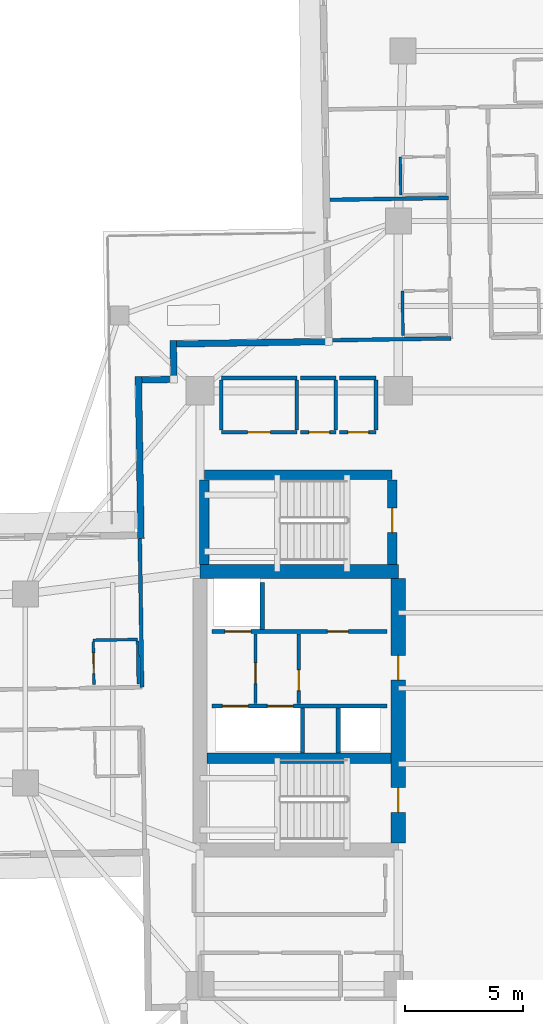
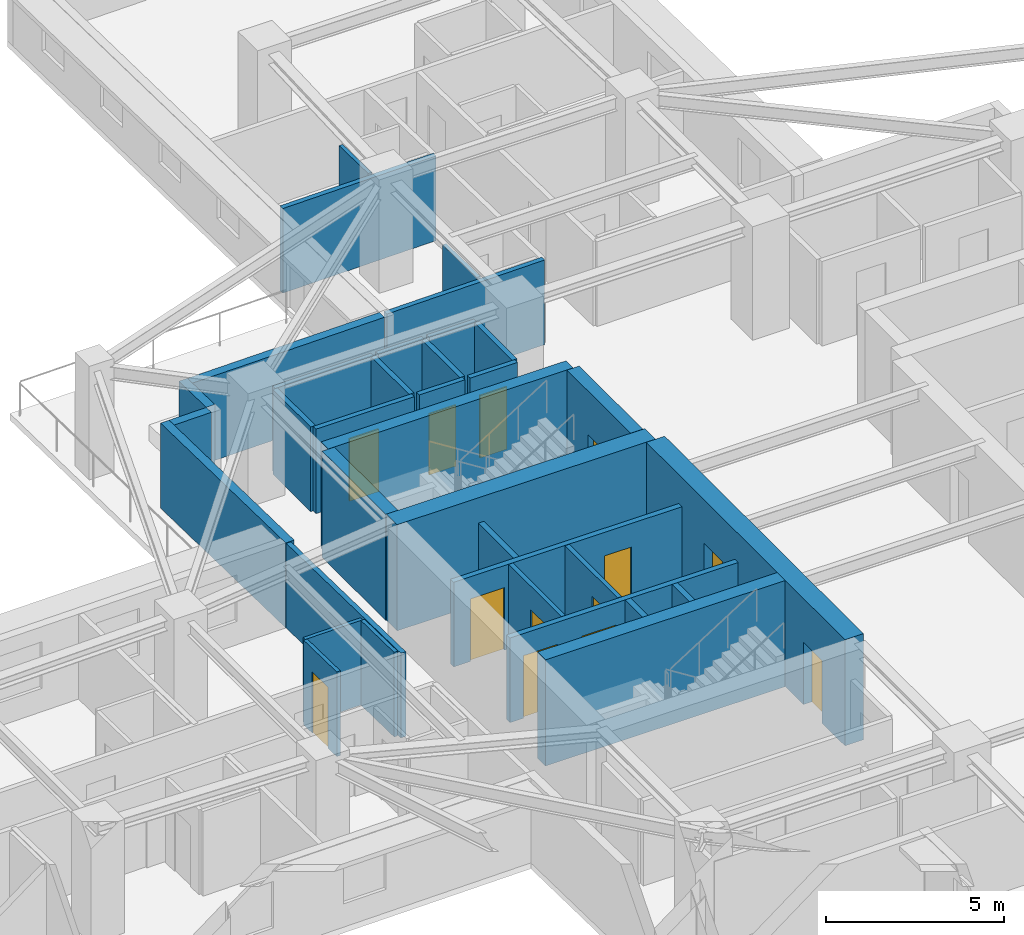
# One storey, part 5 of 13: 35 walls, 13 doors, 13 openings.
"""IFC4 building model written with IfcOpenShell, lengths in metres."""

from ifc_helpers import new_model, si_unit, direction, frame, frame_2d, origin, place, context, subcontext, project, spatial, rectangle, extrude, material, layer, layer_set, type_object, element, fill, save


model = new_model("IFC4")

# Units and contexts
model_context = context("Model", 3, precision=1e-05, world=origin(), true_north=direction((0.0, 1.0)))
body_context = subcontext(model_context, "Body", "Model", "MODEL_VIEW")
ifc_project = project(units=[si_unit("LENGTHUNIT", "METRE"), si_unit("AREAUNIT", "SQUARE_METRE"), si_unit("VOLUMEUNIT", "CUBIC_METRE"), si_unit("PLANEANGLEUNIT", "RADIAN"), si_unit("MASSUNIT", "GRAM", prefix="KILO")], contexts=[model_context])

# Site, building, storey
site_placement = place(None, origin())
site = spatial("IfcSite", under=ifc_project, at=site_placement, CompositionType="ELEMENT")
building_placement = place(site_placement, origin())
building = spatial("IfcBuilding", under=site, at=building_placement, Name="Qingluan Cross Belvedere", CompositionType="ELEMENT")
storey_placement = place(building_placement, frame((0.0, 0.0, 139.800048828125)))
storey = spatial("IfcBuildingStorey", under=building, at=storey_placement, Name="L35", CompositionType="ELEMENT", Elevation=139.800048828125)

# Walls
ifc_material_1 = material(Name="Concrete C50", Category="concrete")
ifc_layer_1 = layer(ifc_material_1, 0.449951171875, Name="CoreShearWall_450")
ifc_layer_set_1 = layer_set([ifc_layer_1], Name="Concrete C50")
wall_type_1 = type_object("IfcWallType", Name="CoreShearWall_450", PredefinedType="SHEAR", material=ifc_layer_set_1)
wall_1_placement = place(storey_placement, frame((-12.094970703125, -2.9599609375, 0.0), z_axis=(0.0, 0.0, 1.0), x_axis=(1.0, 0.0, 0.0)))
element("IfcWall", 1, at=wall_1_placement, inside=storey, type_object=wall_type_1, Name="Split core W shear wall L35-M", PredefinedType="SHEAR", context=body_context, shape_type="SweptSolid", body=[
    extrude(rectangle(XDim=7.7900390625, YDim=0.449951171875, at=frame_2d((3.89501953125, 0.0))), origin(), (0.0, 0.0, 1.0), 3.64990234375),
])
wall_2_placement = place(storey_placement, frame((-12.219970703125, 9.0400390625, 0.0), z_axis=(0.0, 0.0, 1.0), x_axis=(1.0, 0.0, 0.0)))
element("IfcWall", 2, at=wall_2_placement, inside=storey, type_object=wall_type_1, Name="Stair ST3 structural wall N L35", PredefinedType="SHEAR", context=body_context, shape_type="SweptSolid", body=[
    extrude(rectangle(XDim=7.9599609375, YDim=0.39990234375, at=frame_2d((3.97998046875, 0.0))), origin(), (0.0, 0.0, 1.0), 3.64990234375),
])
wall_3_placement = place(storey_placement, frame((-12.219970703125, 5.2548828125, 0.0), z_axis=(0.0, 0.0, 1.0), x_axis=(0.0, 1.0, 0.0)))
element("IfcWall", 3, at=wall_3_placement, inside=storey, type_object=wall_type_1, Name="Stair ST3 structural wall W L35", PredefinedType="SHEAR", context=body_context, shape_type="SweptSolid", body=[
    extrude(rectangle(XDim=3.580078125, YDim=0.39990234375, at=frame_2d((1.7900390625, 0.0))), origin(), (0.0, 0.0, 1.0), 3.64990234375),
])

# Wall, opening, door
wall_4_placement = place(storey_placement, frame((-4.260009765625, 5.2548828125, 0.0), z_axis=(0.0, 0.0, 1.0), x_axis=(0.0, 1.0, 0.0)))
wall_4 = element("IfcWall", 4, at=wall_4_placement, inside=storey, type_object=wall_type_1, Name="Stair ST3 structural wall E L35", PredefinedType="SHEAR", context=body_context, shape_type="SweptSolid", body=[
    extrude(rectangle(XDim=3.580078125, YDim=0.39990234375, at=frame_2d((1.7900390625, 0.0))), origin(), (0.0, 0.0, 1.0), 3.64990234375),
])
opening_1_placement = place(wall_4_placement, frame((1.344970703125, 0.0, 0.0)))
opening_1 = element("IfcOpeningElement", 5, at=opening_1_placement, cuts=wall_4, Name="Opening FD-B11", PredefinedType="OPENING", context=body_context, shape_type="SweptSolid", body=[
    extrude(rectangle(XDim=1.050048828125, YDim=2.14990234375, at=frame_2d((0.52490234375, 1.074951171875))), frame((0.0, 0.2099609375, 0.0), z_axis=(0.0, -1.0, 0.0), x_axis=(1.0, 0.0, 0.0)), (0.0, 0.0, 1.0), 0.419921875),
])
ifc_material_2 = material(Name="Steel Class B smoke-seal fire door", Category="steel")
door_type_1 = type_object("IfcDoorType", Name="StairLobbyFireDoor_FDB", OperationType="NOTDEFINED", PredefinedType="DOOR", material=ifc_material_2)
door_1_placement = place(opening_1_placement, origin())
door_1 = element("IfcDoor", 6, at=door_1_placement, inside=storey, type_object=door_type_1, Name="Smoke-proof stair ST3 fire door L35", OperationType="SINGLE_SWING_LEFT", OverallHeight=2.14990234375, OverallWidth=1.050048828125, PredefinedType="DOOR", context=body_context, shape_type="SweptSolid", body=[
    extrude(rectangle(XDim=1.050048828125, YDim=2.14990234375, at=frame_2d((0.52490234375, 1.074951171875))), frame((0.0, 0.02490234375, 0.0), z_axis=(0.0, -1.0, 0.0), x_axis=(1.0, 0.0, 0.0)), (0.0, 0.0, 1.0), 0.050048828125),
])
fill(opening_1, door_1)

# Wall
ifc_material_3 = material(Name="Concrete C60", Category="concrete")
ifc_layer_2 = layer(ifc_material_3, 0.60009765625, Name="CoreShearWall_600")
ifc_layer_set_2 = layer_set([ifc_layer_2], Name="Concrete C60")
wall_type_2 = type_object("IfcWallType", Name="CoreShearWall_600", PredefinedType="SHEAR", material=ifc_layer_set_2)
wall_5_placement = place(storey_placement, frame((-12.39990234375, 4.949951171875, 0.0), z_axis=(0.0, 0.0, 1.0), x_axis=(1.0, 0.0, 0.0)))
element("IfcWall", 7, at=wall_5_placement, inside=storey, type_object=wall_type_2, Name="Split core W shear wall L35-N", PredefinedType="SHEAR", context=body_context, shape_type="SweptSolid", body=[
    extrude(rectangle(XDim=8.39990234375, YDim=0.60009765625, at=frame_2d((4.199951171875, 0.0))), origin(), (0.0, 0.0, 1.0), 3.64990234375),
])

# Wall, openings, doors
wall_6_placement = place(storey_placement, frame((-4.0, -6.544921875, 0.0), z_axis=(0.0, 0.0, 1.0), x_axis=(0.0, 1.0, 0.0)))
wall_6 = element("IfcWall", 8, at=wall_6_placement, inside=storey, type_object=wall_type_2, Name="Split core W shear wall L35-E", PredefinedType="SHEAR", context=body_context, shape_type="SweptSolid", body=[
    extrude(rectangle(XDim=11.18994140625, YDim=0.60009765625, at=frame_2d((5.594970703125, 0.0))), origin(), (0.0, 0.0, 1.0), 3.64990234375),
])
opening_2_placement = place(wall_6_placement, frame((1.294921875, 0.0, 0.0)))
opening_2 = element("IfcOpeningElement", 9, at=opening_2_placement, cuts=wall_6, Name="Opening FD-B11", PredefinedType="OPENING", context=body_context, shape_type="SweptSolid", body=[
    extrude(rectangle(XDim=1.050048828125, YDim=2.14990234375, at=frame_2d((0.52490234375, 1.074951171875))), frame((0.0, 0.31005859375, 0.0), z_axis=(0.0, -1.0, 0.0), x_axis=(1.0, 0.0, 0.0)), (0.0, 0.0, 1.0), 0.6201171875),
])
opening_3_placement = place(wall_6_placement, frame((6.89501953125, 0.0, 0.0)))
opening_3 = element("IfcOpeningElement", 10, at=opening_3_placement, cuts=wall_6, Name="Opening FD-B11", PredefinedType="OPENING", context=body_context, shape_type="SweptSolid", body=[
    extrude(rectangle(XDim=1.050048828125, YDim=2.14990234375, at=frame_2d((0.52490234375, 1.074951171875))), frame((0.0, 0.31005859375, 0.0), z_axis=(0.0, -1.0, 0.0), x_axis=(1.0, 0.0, 0.0)), (0.0, 0.0, 1.0), 0.6201171875),
])
door_2_placement = place(opening_2_placement, origin())
door_2 = element("IfcDoor", 11, at=door_2_placement, inside=storey, type_object=door_type_1, Name="Smoke-proof stair ST1 fire door L35", OperationType="SINGLE_SWING_LEFT", OverallHeight=2.14990234375, OverallWidth=1.050048828125, PredefinedType="DOOR", context=body_context, shape_type="SweptSolid", body=[
    extrude(rectangle(XDim=1.050048828125, YDim=2.14990234375, at=frame_2d((0.52490234375, 1.074951171875))), frame((0.0, 0.02490234375, 0.0), z_axis=(0.0, -1.0, 0.0), x_axis=(1.0, 0.0, 0.0)), (0.0, 0.0, 1.0), 0.050048828125),
])
fill(opening_2, door_2)
door_3_placement = place(opening_3_placement, origin())
door_3 = element("IfcDoor", 12, at=door_3_placement, inside=storey, type_object=door_type_1, Name="Firefighting lobby West fire door L35", OperationType="SINGLE_SWING_LEFT", OverallHeight=2.14990234375, OverallWidth=1.050048828125, PredefinedType="DOOR", context=body_context, shape_type="SweptSolid", body=[
    extrude(rectangle(XDim=1.050048828125, YDim=2.14990234375, at=frame_2d((0.52490234375, 1.074951171875))), frame((0.0, 0.02490234375, 0.0), z_axis=(0.0, -1.0, 0.0), x_axis=(1.0, 0.0, 0.0)), (0.0, 0.0, 1.0), 0.050048828125),
])
fill(opening_3, door_3)

# Wall, opening, door
ifc_material_4 = material(Name="Gypsum plasterboard on steel stud acoustic partition", Category="steel")
ifc_layer_3 = layer(ifc_material_4, 0.159912109375, Name="CorridorPartition_160")
ifc_layer_set_3 = layer_set([ifc_layer_3], Name="Gypsum plasterboard on steel stud acoustic partition")
wall_type_3 = type_object("IfcWallType", Name="CorridorPartition_160", PredefinedType="PARTITIONING", material=ifc_layer_set_3)
wall_7_placement = place(storey_placement, frame((-10.050048828125, -0.652099609375, 0.0), z_axis=(0.0, 0.0, 1.0), x_axis=(0.0, 1.0, 0.0)))
wall_7 = element("IfcWall", 13, at=wall_7_placement, inside=storey, type_object=wall_type_3, Name="Partition L35:wv", PredefinedType="PARTITIONING", context=body_context, shape_type="SweptSolid", body=[
    extrude(rectangle(XDim=2.962158203125, YDim=0.139892578125, at=frame_2d((1.48095703125, 0.0))), origin(), (0.0, 0.0, 1.0), 2.909912109375),
])
opening_4_placement = place(wall_7_placement, frame((0.85009765625, 0.0, 0.0)))
opening_4 = element("IfcOpeningElement", 14, at=opening_4_placement, cuts=wall_7, Name="Opening FD-B10", PredefinedType="OPENING", context=body_context, shape_type="SweptSolid", body=[
    extrude(rectangle(XDim=0.8798828125, YDim=2.10009765625, at=frame_2d((0.43994140625, 1.050048828125))), frame((0.0, 0.079833984375, 0.0), z_axis=(0.0, -1.0, 0.0), x_axis=(1.0, 0.0, 0.0)), (0.0, 0.0, 1.0), 0.159912109375),
])
ifc_material_5 = material(Name="Steel Class B service fire door", Category="steel")
door_type_2 = type_object("IfcDoorType", Name="RiserServiceFireDoor_FDB", OperationType="NOTDEFINED", PredefinedType="DOOR", material=ifc_material_5)
door_4_placement = place(opening_4_placement, origin())
door_4 = element("IfcDoor", 15, at=door_4_placement, inside=storey, type_object=door_type_2, Name="Service closet inner door L35", OperationType="SINGLE_SWING_RIGHT", OverallHeight=2.10009765625, OverallWidth=0.8798828125, PredefinedType="DOOR", context=body_context, shape_type="SweptSolid", body=[
    extrude(rectangle(XDim=0.8798828125, YDim=2.10009765625, at=frame_2d((0.43994140625, 1.050048828125))), frame((0.0, 0.02490234375, 0.0), z_axis=(0.0, -1.0, 0.0), x_axis=(1.0, 0.0, 0.0)), (0.0, 0.0, 1.0), 0.050048828125),
])
fill(opening_4, door_4)

wall_8_placement = place(storey_placement, frame((-11.5, 10.85009765625, 0.0), z_axis=(0.0, 0.0, 1.0), x_axis=(1.0, 0.0, 0.0)))
wall_8 = element("IfcWall", 16, at=wall_8_placement, inside=storey, type_object=wall_type_3, Name="Partition L35:q_nw_occ:S", PredefinedType="PARTITIONING", context=body_context, shape_type="SweptSolid", body=[
    extrude(rectangle(XDim=3.199951171875, YDim=0.159912109375, at=frame_2d((1.60009765625, 0.0))), origin(), (0.0, 0.0, 1.0), 2.909912109375),
])
opening_5_placement = place(wall_8_placement, frame((1.1201171875, 0.0, 0.0)))
opening_5 = element("IfcOpeningElement", 17, at=opening_5_placement, cuts=wall_8, Name="Opening GD-10", PredefinedType="OPENING", context=body_context, shape_type="SweptSolid", body=[
    extrude(rectangle(XDim=0.9599609375, YDim=2.14990234375, at=frame_2d((0.47998046875, 1.074951171875))), frame((0.0, 0.08984375, 0.0), z_axis=(0.0, -1.0, 0.0), x_axis=(1.0, 0.0, 0.0)), (0.0, 0.0, 1.0), 0.179931640625),
])
ifc_material_6 = material(Name="Timber oak fire-rated acoustic guestroom door", Category="wood")
door_type_3 = type_object("IfcDoorType", Name="GuestEntryDoor_FD60", OperationType="NOTDEFINED", PredefinedType="DOOR", material=ifc_material_6)
door_5_placement = place(opening_5_placement, origin())
door_5 = element("IfcDoor", 18, at=door_5_placement, inside=storey, type_object=door_type_3, Name="Northwest corner reading salon L35 door", OperationType="SINGLE_SWING_RIGHT", OverallHeight=2.14990234375, OverallWidth=0.9599609375, PredefinedType="DOOR", context=body_context, shape_type="SweptSolid", body=[
    extrude(rectangle(XDim=0.9599609375, YDim=2.14990234375, at=frame_2d((0.47998046875, 1.074951171875))), frame((0.0, 0.02490234375, 0.0), z_axis=(0.0, -1.0, 0.0), x_axis=(1.0, 0.0, 0.0)), (0.0, 0.0, 1.0), 0.050048828125),
])
fill(opening_5, door_5)

# Walls
wall_9_placement = place(storey_placement, frame((-11.5, 13.14990234375, 0.0), z_axis=(0.0, 0.0, 1.0), x_axis=(1.0, 0.0, 0.0)))
element("IfcWall", 19, at=wall_9_placement, inside=storey, type_object=wall_type_3, Name="Partition L35:q_nw_occ:N", PredefinedType="PARTITIONING", context=body_context, shape_type="SweptSolid", body=[
    extrude(rectangle(XDim=3.199951171875, YDim=0.159912109375, at=frame_2d((1.60009765625, 0.0))), origin(), (0.0, 0.0, 1.0), 2.909912109375),
])
for number, where, z_axis, x_axis, name in (
    (20, (-11.5, 10.93505859375, 0.0), (0.0, 0.0, 1.0), (0.0, 1.0, 0.0), "Partition L35:q_nw_occ:W"),
    (21, (-8.300048828125, 10.93505859375, 0.0), (0.0, 0.0, 1.0), (0.0, 1.0, 0.0), "Partition L35:q_nw_occ:E"),
):
    element("IfcWall", number, at=place(storey_placement, frame(where, z_axis=z_axis, x_axis=x_axis)), inside=storey, type_object=wall_type_3, Name=name, PredefinedType="PARTITIONING", context=body_context, shape_type="SweptSolid", body=[
        extrude(rectangle(XDim=2.1298828125, YDim=0.159912109375, at=frame_2d((1.06494140625, 0.0))), origin(), (0.0, 0.0, 1.0), 2.909912109375),
    ])

# Wall, opening, door
wall_10_placement = place(storey_placement, frame((-8.139892578125, 10.85009765625, 0.0), z_axis=(0.0, 0.0, 1.0), x_axis=(1.0, 0.0, 0.0)))
wall_10 = element("IfcWall", 22, at=wall_10_placement, inside=storey, type_object=wall_type_3, Name="Partition L35:hk_linen:S", PredefinedType="PARTITIONING", context=body_context, shape_type="SweptSolid", body=[
    extrude(rectangle(XDim=1.489990234375, YDim=0.159912109375, at=frame_2d((0.7451171875, 0.0))), origin(), (0.0, 0.0, 1.0), 2.909912109375),
])
opening_6_placement = place(wall_10_placement, frame((0.35009765625, 0.0, 0.0)))
opening_6 = element("IfcOpeningElement", 23, at=opening_6_placement, cuts=wall_10, Name="Opening FD-B10", PredefinedType="OPENING", context=body_context, shape_type="SweptSolid", body=[
    extrude(rectangle(XDim=0.8798828125, YDim=2.10009765625, at=frame_2d((0.43994140625, 1.050048828125))), frame((0.0, 0.08984375, 0.0), z_axis=(0.0, -1.0, 0.0), x_axis=(1.0, 0.0, 0.0)), (0.0, 0.0, 1.0), 0.179931640625),
])
door_6_placement = place(opening_6_placement, origin())
door_6 = element("IfcDoor", 24, at=door_6_placement, inside=storey, type_object=door_type_2, Name="Housekeeping and linen store L35 door", OperationType="SINGLE_SWING_LEFT", OverallHeight=2.10009765625, OverallWidth=0.8798828125, PredefinedType="DOOR", context=body_context, shape_type="SweptSolid", body=[
    extrude(rectangle(XDim=0.8798828125, YDim=2.10009765625, at=frame_2d((0.43994140625, 1.050048828125))), frame((0.0, 0.02490234375, 0.0), z_axis=(0.0, -1.0, 0.0), x_axis=(1.0, 0.0, 0.0)), (0.0, 0.0, 1.0), 0.050048828125),
])
fill(opening_6, door_6)

# Walls
wall_11_placement = place(storey_placement, frame((-8.139892578125, 13.14990234375, 0.0), z_axis=(0.0, 0.0, 1.0), x_axis=(1.0, 0.0, 0.0)))
element("IfcWall", 25, at=wall_11_placement, inside=storey, type_object=wall_type_3, Name="Partition L35:hk_linen:N", PredefinedType="PARTITIONING", context=body_context, shape_type="SweptSolid", body=[
    extrude(rectangle(XDim=1.489990234375, YDim=0.159912109375, at=frame_2d((0.7451171875, 0.0))), origin(), (0.0, 0.0, 1.0), 2.909912109375),
])
wall_12_placement = place(storey_placement, frame((-6.64990234375, 10.93505859375, 0.0), z_axis=(0.0, 0.0, 1.0), x_axis=(0.0, 1.0, 0.0)))
element("IfcWall", 26, at=wall_12_placement, inside=storey, type_object=wall_type_3, Name="Partition L35:hk_linen:E", PredefinedType="PARTITIONING", context=body_context, shape_type="SweptSolid", body=[
    extrude(rectangle(XDim=2.1298828125, YDim=0.159912109375, at=frame_2d((1.06494140625, 0.0))), origin(), (0.0, 0.0, 1.0), 2.909912109375),
])

# Wall, opening, door
wall_13_placement = place(storey_placement, frame((-6.489990234375, 10.85009765625, 0.0), z_axis=(0.0, 0.0, 1.0), x_axis=(1.0, 0.0, 0.0)))
wall_13 = element("IfcWall", 27, at=wall_13_placement, inside=storey, type_object=wall_type_3, Name="Partition L35:floor_acc_wc:S", PredefinedType="PARTITIONING", context=body_context, shape_type="SweptSolid", body=[
    extrude(rectangle(XDim=1.5400390625, YDim=0.159912109375, at=frame_2d((0.77001953125, 0.0))), origin(), (0.0, 0.0, 1.0), 2.909912109375),
])
opening_7_placement = place(wall_13_placement, frame((0.35009765625, 0.0, 0.0)))
opening_7 = element("IfcOpeningElement", 28, at=opening_7_placement, cuts=wall_13, Name="Opening BD-08", PredefinedType="OPENING", context=body_context, shape_type="SweptSolid", body=[
    extrude(rectangle(XDim=0.8798828125, YDim=2.14990234375, at=frame_2d((0.43994140625, 1.074951171875))), frame((0.0, 0.08984375, 0.0), z_axis=(0.0, -1.0, 0.0), x_axis=(1.0, 0.0, 0.0)), (0.0, 0.0, 1.0), 0.179931640625),
])
ifc_material_7 = material(Name="Moisture-sealed timber accessible WC door", Category="wood")
door_type_4 = type_object("IfcDoorType", Name="AccessibleWCDoor_880", OperationType="NOTDEFINED", PredefinedType="DOOR", material=ifc_material_7)
door_7_placement = place(opening_7_placement, origin())
door_7 = element("IfcDoor", 29, at=door_7_placement, inside=storey, type_object=door_type_4, Name="Accessible guest washroom L35 door", OperationType="SINGLE_SWING_RIGHT", OverallHeight=2.14990234375, OverallWidth=0.8798828125, PredefinedType="DOOR", context=body_context, shape_type="SweptSolid", body=[
    extrude(rectangle(XDim=0.8798828125, YDim=2.14990234375, at=frame_2d((0.43994140625, 1.074951171875))), frame((0.0, 0.02490234375, 0.0), z_axis=(0.0, -1.0, 0.0), x_axis=(1.0, 0.0, 0.0)), (0.0, 0.0, 1.0), 0.050048828125),
])
fill(opening_7, door_7)

# Walls
wall_14_placement = place(storey_placement, frame((-6.489990234375, 13.14990234375, 0.0), z_axis=(0.0, 0.0, 1.0), x_axis=(1.0, 0.0, 0.0)))
element("IfcWall", 30, at=wall_14_placement, inside=storey, type_object=wall_type_3, Name="Partition L35:floor_acc_wc:N", PredefinedType="PARTITIONING", context=body_context, shape_type="SweptSolid", body=[
    extrude(rectangle(XDim=1.5400390625, YDim=0.159912109375, at=frame_2d((0.77001953125, 0.0))), origin(), (0.0, 0.0, 1.0), 2.909912109375),
])
wall_15_placement = place(storey_placement, frame((-4.949951171875, 10.93505859375, 0.0), z_axis=(0.0, 0.0, 1.0), x_axis=(0.0, 1.0, 0.0)))
element("IfcWall", 31, at=wall_15_placement, inside=storey, type_object=wall_type_3, Name="Partition L35:floor_acc_wc:E", PredefinedType="PARTITIONING", context=body_context, shape_type="SweptSolid", body=[
    extrude(rectangle(XDim=2.1298828125, YDim=0.159912109375, at=frame_2d((1.06494140625, 0.0))), origin(), (0.0, 0.0, 1.0), 2.909912109375),
])
wall_16_placement = place(storey_placement, frame((-14.8525390625, 0.046630859375, 0.0), z_axis=(0.0, 0.0, 1.0), x_axis=(-0.01571461794, 0.999876517768, 0.0)))
element("IfcWall", 32, at=wall_16_placement, inside=storey, type_object=wall_type_3, Name="Partition L35:W:s0", PredefinedType="PARTITIONING", context=body_context, shape_type="SweptSolid", body=[
    extrude(rectangle(XDim=6.2919921875, YDim=0.159912109375, at=frame_2d((3.14599609375, 0.0))), origin(), (0.0, 0.0, 1.0), 2.909912109375),
])
wall_17_placement = place(storey_placement, frame((-1.773193359375, 14.823974609375, 0.0), z_axis=(0.0, 0.0, 1.0), x_axis=(-0.999876822016, -0.01569524756, 0.0)))
element("IfcWall", 33, at=wall_17_placement, inside=storey, type_object=wall_type_3, Name="Partition L35:N:s1", PredefinedType="PARTITIONING", context=body_context, shape_type="SweptSolid", body=[
    extrude(rectangle(XDim=5.179931640625, YDim=0.159912109375, at=frame_2d((2.58984375, 0.0))), origin(), (0.0, 0.0, 1.0), 2.909912109375),
])
wall_18_placement = place(storey_placement, frame((-1.866455078125, 20.773193359375, 0.0), z_axis=(0.0, 0.0, 1.0), x_axis=(-0.999876443474, -0.015719344349, 0.0)))
element("IfcWall", 34, at=wall_18_placement, inside=storey, type_object=wall_type_3, Name="Partition L35:N:d1_0", PredefinedType="PARTITIONING", context=body_context, shape_type="SweptSolid", body=[
    extrude(rectangle(XDim=5.0322265625, YDim=0.159912109375, at=frame_2d((2.51611328125, 0.0))), origin(), (0.0, 0.0, 1.0), 2.909912109375),
])

# Wall, opening, door
ifc_material_8 = material(Name="Moisture-resistant gypsum board lining")
ifc_layer_4 = layer(ifc_material_8, 0.1201171875, Name="EnsuiteWetPartition_120")
ifc_layer_set_4 = layer_set([ifc_layer_4], Name="Moisture-resistant gypsum board lining")
wall_type_4 = type_object("IfcWallType", Name="EnsuiteWetPartition_120", PredefinedType="PARTITIONING", material=ifc_layer_set_4)
wall_19_placement = place(storey_placement, frame((-16.89453125, 0.15478515625, 0.0), z_axis=(0.0, 0.0, 1.0), x_axis=(-0.015696442504, 0.999876803258, 0.0)))
wall_19 = element("IfcWall", 35, at=wall_19_placement, inside=storey, type_object=wall_type_4, Name="Partition L35:W:bs0_0", PredefinedType="PARTITIONING", context=body_context, shape_type="SweptSolid", body=[
    extrude(rectangle(XDim=1.81982421875, YDim=0.1201171875, at=frame_2d((0.909912109375, 0.0))), origin(), (0.0, 0.0, 1.0), 2.909912109375),
])
opening_8_placement = place(wall_19_placement, frame((0.469970703125, 0.0, 0.0)))
opening_8 = element("IfcOpeningElement", 36, at=opening_8_placement, cuts=wall_19, Name="Opening BD-09", PredefinedType="OPENING", context=body_context, shape_type="SweptSolid", body=[
    extrude(rectangle(XDim=0.8798828125, YDim=2.10009765625, at=frame_2d((0.43994140625, 1.050048828125))), frame((0.0, 0.070068359375, 0.0), z_axis=(0.0, -1.0, 0.0), x_axis=(1.0, 0.0, 0.0)), (0.0, 0.0, 1.0), 0.14013671875),
])
ifc_material_9 = material(Name="Moisture-sealed timber en-suite door", Category="wood")
door_type_5 = type_object("IfcDoorType", Name="BathroomDoor_880", OperationType="NOTDEFINED", PredefinedType="DOOR", material=ifc_material_9)
door_8_placement = place(opening_8_placement, origin())
door_8 = element("IfcDoor", 37, at=door_8_placement, inside=storey, type_object=door_type_5, Name="Bathroom door 3503", OperationType="SINGLE_SWING_LEFT", OverallHeight=2.10009765625, OverallWidth=0.8798828125, PredefinedType="DOOR", context=body_context, shape_type="SweptSolid", body=[
    extrude(rectangle(XDim=0.8798828125, YDim=2.10009765625, at=frame_2d((0.43994140625, 1.050048828125))), frame((0.0, 0.02490234375, 0.0), z_axis=(0.0, -1.0, 0.0), x_axis=(1.0, 0.0, 0.0)), (0.0, 0.0, 1.0), 0.050048828125),
])
fill(opening_8, door_8)

# Walls
wall_20_placement = place(storey_placement, frame((-15.0146484375, 0.18408203125, 0.0), z_axis=(0.0, 0.0, 1.0), x_axis=(-0.015694337248, 0.999876836305, 0.0)))
element("IfcWall", 38, at=wall_20_placement, inside=storey, type_object=wall_type_4, Name="Partition L35:W:bw0_0", PredefinedType="PARTITIONING", context=body_context, shape_type="SweptSolid", body=[
    extrude(rectangle(XDim=1.820068359375, YDim=0.1201171875, at=frame_2d((0.91015625, 0.0))), origin(), (0.0, 0.0, 1.0), 2.909912109375),
])
for number, where, z_axis, x_axis, name in (
    (39, (-15.04443359375, 2.06884765625, 0.0), (0.0, 0.0, 1.0), (-0.99987652141, -0.015714386166, 0.0), "Partition L35:W:bn0_0"),
    (40, (-3.80029296875, 14.9521484375, 0.0), (0.0, 0.0, 1.0), (-0.015714386166, 0.99987652141, 0.0), "Partition L35:N:bc1_0"),
):
    element("IfcWall", number, at=place(storey_placement, frame(where, z_axis=z_axis, x_axis=x_axis)), inside=storey, type_object=wall_type_4, Name=name, PredefinedType="PARTITIONING", context=body_context, shape_type="SweptSolid", body=[
        extrude(rectangle(XDim=1.8798828125, YDim=0.1201171875, at=frame_2d((0.93994140625, 0.0))), origin(), (0.0, 0.0, 1.0), 2.909912109375),
    ])
wall_21_placement = place(storey_placement, frame((-3.893798828125, 20.9013671875, 0.0), z_axis=(0.0, 0.0, 1.0), x_axis=(-0.015716050513, 0.999876495251, 0.0)))
element("IfcWall", 41, at=wall_21_placement, inside=storey, type_object=wall_type_4, Name="Partition L35:N:bc1_1", PredefinedType="PARTITIONING", context=body_context, shape_type="SweptSolid", body=[
    extrude(rectangle(XDim=1.60009765625, YDim=0.1201171875, at=frame_2d((0.800048828125, 0.0))), origin(), (0.0, 0.0, 1.0), 2.909912109375),
])
ifc_material_10 = material(Name="Precast concrete C45", Category="concrete")
ifc_layer_5 = layer(ifc_material_10, 0.280029296875, Name="PrecastFacadeWall_280")
ifc_layer_set_5 = layer_set([ifc_layer_5], Name="Precast concrete C45")
wall_type_5 = type_object("IfcWallType", Name="PrecastFacadeWall_280", PredefinedType="STANDARD", material=ifc_layer_set_5)
wall_22_placement = place(storey_placement, frame((-14.901611328125, 6.3466796875, 0.0), z_axis=(0.0, 0.0, 1.0), x_axis=(-0.015694809807, 0.999876828887, 0.0)))
element("IfcWall", 42, at=wall_22_placement, inside=storey, type_object=wall_type_5, Name="Corner wall L35-NW1", PredefinedType="STANDARD", context=body_context, shape_type="SweptSolid", body=[
    extrude(rectangle(XDim=6.85986328125, YDim=0.280029296875, at=frame_2d((3.429931640625, 0.0))), origin(), (0.0, 0.0, 1.0), 2.919921875),
])
wall_23_placement = place(storey_placement, frame((-14.8671875, 13.068115234375, 0.0), z_axis=(0.0, 0.0, 1.0), x_axis=(0.999875053502, 0.015807510352, 0.0)))
element("IfcWall", 43, at=wall_23_placement, inside=storey, type_object=wall_type_5, Name="Corner wall L35-NW2", PredefinedType="STANDARD", context=body_context, shape_type="SweptSolid", body=[
    extrude(rectangle(XDim=1.22021484375, YDim=0.280029296875, at=frame_2d((0.610107421875, 0.0))), origin(), (0.0, 0.0, 1.0), 2.919921875),
])
wall_24_placement = place(storey_placement, frame((-13.509521484375, 13.2294921875, 0.0), z_axis=(0.0, 0.0, 1.0), x_axis=(-0.015625635615, 0.999877912303, 0.0)))
element("IfcWall", 44, at=wall_24_placement, inside=storey, type_object=wall_type_5, Name="Corner wall L35-NW3", PredefinedType="STANDARD", context=body_context, shape_type="SweptSolid", body=[
    extrude(rectangle(XDim=1.5, YDim=0.280029296875, at=frame_2d((0.75, 0.0))), origin(), (0.0, 0.0, 1.0), 2.919921875),
])
wall_25_placement = place(storey_placement, frame((-13.390869140625, 14.591552734375, 0.0), z_axis=(0.0, 0.0, 1.0), x_axis=(0.999876833368, 0.015694524359, 0.0)))
element("IfcWall", 45, at=wall_25_placement, inside=storey, type_object=wall_type_5, Name="Corner wall L35-NW4", PredefinedType="STANDARD", context=body_context, shape_type="SweptSolid", body=[
    extrude(rectangle(XDim=6.300048828125, YDim=0.280029296875, at=frame_2d((3.14990234375, 0.0))), origin(), (0.0, 0.0, 1.0), 2.919921875),
])

# Wall, openings, doors
ifc_material_11 = material(Name="Concrete C40", Category="concrete")
ifc_layer_6 = layer(ifc_material_11, 0.219970703125, Name="ShaftEnclosureWall_250")
ifc_layer_set_6 = layer_set([ifc_layer_6], Name="Concrete C40")
wall_type_6 = type_object("IfcWallType", Name="ShaftEnclosureWall_250", PredefinedType="SOLIDWALL", material=ifc_layer_set_6)
wall_26_placement = place(storey_placement, frame((-11.89990234375, 2.409912109375, 0.0), z_axis=(0.0, 0.0, 1.0), x_axis=(1.0, 0.0, 0.0)))
wall_26 = element("IfcWall", 46, at=wall_26_placement, inside=storey, type_object=wall_type_6, Name="Core-W north hoistway wall L35", PredefinedType="SOLIDWALL", context=body_context, shape_type="SweptSolid", body=[
    extrude(rectangle(XDim=7.419921875, YDim=0.179931640625, at=frame_2d((3.7099609375, 0.0))), origin(), (0.0, 0.0, 1.0), 2.909912109375),
])
opening_9_placement = place(wall_26_placement, frame((0.550048828125, 0.0, 0.0)))
opening_9 = element("IfcOpeningElement", 47, at=opening_9_placement, cuts=wall_26, Name="Opening LD-11", PredefinedType="OPENING", context=body_context, shape_type="SweptSolid", body=[
    extrude(rectangle(XDim=1.10009765625, YDim=2.14990234375, at=frame_2d((0.550048828125, 1.074951171875))), frame((0.0, 0.099853515625, 0.0), z_axis=(0.0, -1.0, 0.0), x_axis=(1.0, 0.0, 0.0)), (0.0, 0.0, 1.0), 0.199951171875),
])
opening_10_placement = place(wall_26_placement, frame((4.89990234375, 0.0, 0.0)))
opening_10 = element("IfcOpeningElement", 48, at=opening_10_placement, cuts=wall_26, Name="Opening FD-B10", PredefinedType="OPENING", context=body_context, shape_type="SweptSolid", body=[
    extrude(rectangle(XDim=0.8798828125, YDim=2.10009765625, at=frame_2d((0.43994140625, 1.050048828125))), frame((0.0, 0.099853515625, 0.0), z_axis=(0.0, -1.0, 0.0), x_axis=(1.0, 0.0, 0.0)), (0.0, 0.0, 1.0), 0.199951171875),
])
ifc_material_12 = material(Name="Brushed stainless steel centre-opening lift landing door", Category="steel")
door_type_6 = type_object("IfcDoorType", Name="LiftLandingSlidingDoor_1100", OperationType="DOUBLE_DOOR_SLIDING", PredefinedType="DOOR", material=ifc_material_12)
door_9_placement = place(opening_9_placement, origin())
door_9 = element("IfcDoor", 49, at=door_9_placement, inside=storey, type_object=door_type_6, Name="Lift landing sliding door FL1 L35", OperationType="DOUBLE_DOOR_SLIDING", OverallHeight=2.14990234375, OverallWidth=1.10009765625, PredefinedType="DOOR", context=body_context, shape_type="SweptSolid", body=[
    extrude(rectangle(XDim=1.10009765625, YDim=2.14990234375, at=frame_2d((0.550048828125, 1.074951171875))), frame((0.0, 0.02490234375, 0.0), z_axis=(0.0, -1.0, 0.0), x_axis=(1.0, 0.0, 0.0)), (0.0, 0.0, 1.0), 0.050048828125),
])
fill(opening_9, door_9)
door_10_placement = place(opening_10_placement, origin())
door_10 = element("IfcDoor", 50, at=door_10_placement, inside=storey, type_object=door_type_2, Name="Housekeeping supply room door W L35", OperationType="SINGLE_SWING_RIGHT", OverallHeight=2.10009765625, OverallWidth=0.8798828125, PredefinedType="DOOR", context=body_context, shape_type="SweptSolid", body=[
    extrude(rectangle(XDim=0.8798828125, YDim=2.10009765625, at=frame_2d((0.43994140625, 1.050048828125))), frame((0.0, 0.02490234375, 0.0), z_axis=(0.0, -1.0, 0.0), x_axis=(1.0, 0.0, 0.0)), (0.0, 0.0, 1.0), 0.050048828125),
])
fill(opening_10, door_10)

wall_27_placement = place(storey_placement, frame((-11.89990234375, -0.75, 0.0), z_axis=(0.0, 0.0, 1.0), x_axis=(1.0, 0.0, 0.0)))
wall_27 = element("IfcWall", 51, at=wall_27_placement, inside=storey, type_object=wall_type_6, Name="Core-W mid hoistway wall L35", PredefinedType="SOLIDWALL", context=body_context, shape_type="SweptSolid", body=[
    extrude(rectangle(XDim=7.419921875, YDim=0.179931640625, at=frame_2d((3.7099609375, 0.0))), origin(), (0.0, 0.0, 1.0), 2.909912109375),
])
opening_11_placement = place(wall_27_placement, frame((0.449951171875, 0.0, 0.0)))
opening_11 = element("IfcOpeningElement", 52, at=opening_11_placement, cuts=wall_27, Name="Opening LD-11", PredefinedType="OPENING", context=body_context, shape_type="SweptSolid", body=[
    extrude(rectangle(XDim=1.10009765625, YDim=2.14990234375, at=frame_2d((0.550048828125, 1.074951171875))), frame((0.0, 0.099853515625, 0.0), z_axis=(0.0, -1.0, 0.0), x_axis=(1.0, 0.0, 0.0)), (0.0, 0.0, 1.0), 0.199951171875),
])
opening_12_placement = place(wall_27_placement, frame((2.35009765625, 0.0, 0.0)))
opening_12 = element("IfcOpeningElement", 53, at=opening_12_placement, cuts=wall_27, Name="Opening LD-11", PredefinedType="OPENING", context=body_context, shape_type="SweptSolid", body=[
    extrude(rectangle(XDim=1.10009765625, YDim=2.14990234375, at=frame_2d((0.550048828125, 1.074951171875))), frame((0.0, 0.099853515625, 0.0), z_axis=(0.0, -1.0, 0.0), x_axis=(1.0, 0.0, 0.0)), (0.0, 0.0, 1.0), 0.199951171875),
])
door_11_placement = place(opening_11_placement, origin())
door_11 = element("IfcDoor", 54, at=door_11_placement, inside=storey, type_object=door_type_6, Name="Lift landing sliding door LP5 L35", OperationType="DOUBLE_DOOR_SLIDING", OverallHeight=2.14990234375, OverallWidth=1.10009765625, PredefinedType="DOOR", context=body_context, shape_type="SweptSolid", body=[
    extrude(rectangle(XDim=1.10009765625, YDim=2.14990234375, at=frame_2d((0.550048828125, 1.074951171875))), frame((0.0, 0.02490234375, 0.0), z_axis=(0.0, -1.0, 0.0), x_axis=(1.0, 0.0, 0.0)), (0.0, 0.0, 1.0), 0.050048828125),
])
fill(opening_11, door_11)
door_12_placement = place(opening_12_placement, origin())
door_12 = element("IfcDoor", 55, at=door_12_placement, inside=storey, type_object=door_type_6, Name="Lift landing sliding door LP6 L35", OperationType="DOUBLE_DOOR_SLIDING", OverallHeight=2.14990234375, OverallWidth=1.10009765625, PredefinedType="DOOR", context=body_context, shape_type="SweptSolid", body=[
    extrude(rectangle(XDim=1.10009765625, YDim=2.14990234375, at=frame_2d((0.550048828125, 1.074951171875))), frame((0.0, 0.02490234375, 0.0), z_axis=(0.0, -1.0, 0.0), x_axis=(1.0, 0.0, 0.0)), (0.0, 0.0, 1.0), 0.050048828125),
])
fill(opening_12, door_12)

# Walls
wall_28_placement = place(storey_placement, frame((-9.760009765625, 2.5, 0.0), z_axis=(0.0, 0.0, 1.0), x_axis=(0.0, 1.0, 0.0)))
element("IfcWall", 56, at=wall_28_placement, inside=storey, type_object=wall_type_6, Name="Hoistway enclosure divider FL1E L35", PredefinedType="SOLIDWALL", context=body_context, shape_type="SweptSolid", body=[
    extrude(rectangle(XDim=1.989990234375, YDim=0.179931640625, at=frame_2d((0.9951171875, 0.0))), origin(), (0.0, 0.0, 1.0), 2.909912109375),
])
for number, where, z_axis, x_axis, name in (
    (57, (-8.06005859375, -2.72998046875, 0.0), (0.0, 0.0, 1.0), (0.0, 1.0, 0.0), "Hoistway enclosure divider LP6E L35"),
    (58, (-6.5400390625, -2.72998046875, 0.0), (0.0, 0.0, 1.0), (0.0, 1.0, 0.0), "Hoistway enclosure divider LP8W L35"),
):
    element("IfcWall", number, at=place(storey_placement, frame(where, z_axis=z_axis, x_axis=x_axis)), inside=storey, type_object=wall_type_6, Name=name, PredefinedType="SOLIDWALL", context=body_context, shape_type="SweptSolid", body=[
        extrude(rectangle(XDim=1.889892578125, YDim=0.179931640625, at=frame_2d((0.94482421875, 0.0))), origin(), (0.0, 0.0, 1.0), 2.909912109375),
    ])

# Wall, opening, door
wall_29_placement = place(storey_placement, frame((-8.219970703125, -0.64990234375, 0.0), z_axis=(0.0, 0.0, 1.0), x_axis=(0.0, 1.0, 0.0)))
wall_29 = element("IfcWall", 59, at=wall_29_placement, inside=storey, type_object=wall_type_6, Name="Core-W service corridor wall L35", PredefinedType="SOLIDWALL", context=body_context, shape_type="SweptSolid", body=[
    extrude(rectangle(XDim=2.9599609375, YDim=0.139892578125, at=frame_2d((1.47998046875, 0.0))), origin(), (0.0, 0.0, 1.0), 2.909912109375),
])
opening_13_placement = place(wall_29_placement, frame((0.550048828125, 0.0, 0.0)))
opening_13 = element("IfcOpeningElement", 60, at=opening_13_placement, cuts=wall_29, Name="Opening FD-B10", PredefinedType="OPENING", context=body_context, shape_type="SweptSolid", body=[
    extrude(rectangle(XDim=0.8798828125, YDim=2.10009765625, at=frame_2d((0.43994140625, 1.050048828125))), frame((0.0, 0.079833984375, 0.0), z_axis=(0.0, -1.0, 0.0), x_axis=(1.0, 0.0, 0.0)), (0.0, 0.0, 1.0), 0.159912109375),
])
door_13_placement = place(opening_13_placement, origin())
door_13 = element("IfcDoor", 61, at=door_13_placement, inside=storey, type_object=door_type_2, Name="Core-W service room door L35", OperationType="SINGLE_SWING_RIGHT", OverallHeight=2.10009765625, OverallWidth=0.8798828125, PredefinedType="DOOR", context=body_context, shape_type="SweptSolid", body=[
    extrude(rectangle(XDim=0.8798828125, YDim=2.10009765625, at=frame_2d((0.43994140625, 1.050048828125))), frame((0.0, 0.02490234375, 0.0), z_axis=(0.0, -1.0, 0.0), x_axis=(1.0, 0.0, 0.0)), (0.0, 0.0, 1.0), 0.050048828125),
])
fill(opening_13, door_13)

save(model, "model.ifc")
